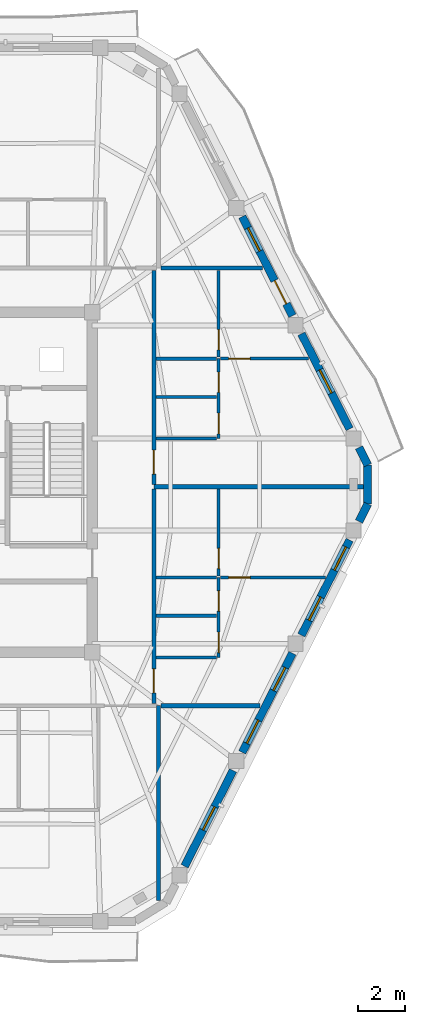
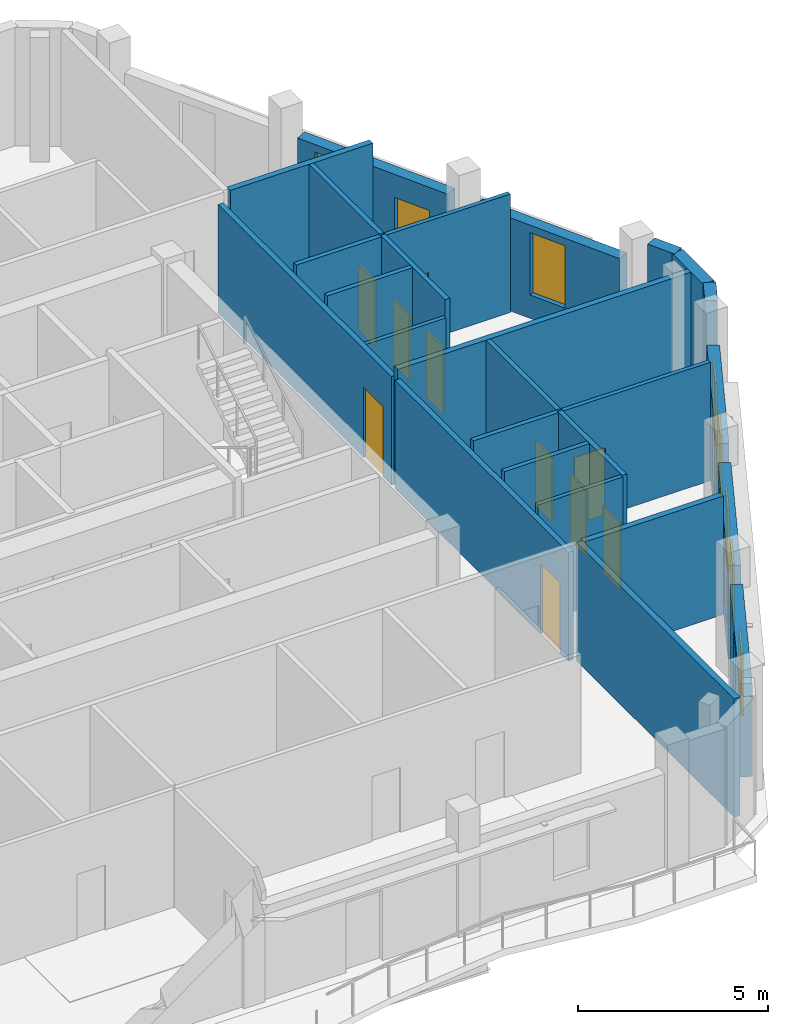
# One storey, part 6 of 10: 26 walls, 11 doors, 7 windows, 18 openings.
"""IFC4 building model written with IfcOpenShell, lengths in metres."""

from ifc_helpers import new_model, si_unit, direction, frame, frame_2d, origin, place, context, subcontext, project, spatial, rectangle, extrude, material, layer, layer_set, type_object, element, fill, save


model = new_model("IFC4")

# Units and contexts
model_context = context("Model", 3, precision=1e-05, world=origin(), true_north=direction((0.0, 1.0)))
body_context = subcontext(model_context, "Body", "Model", "MODEL_VIEW")
ifc_project = project(units=[si_unit("LENGTHUNIT", "METRE"), si_unit("AREAUNIT", "SQUARE_METRE"), si_unit("VOLUMEUNIT", "CUBIC_METRE"), si_unit("PLANEANGLEUNIT", "RADIAN"), si_unit("MASSUNIT", "GRAM", prefix="KILO")], contexts=[model_context])

# Site, building, storey
site_placement = place(None, origin())
site = spatial("IfcSite", under=ifc_project, at=site_placement, CompositionType="ELEMENT")
building_placement = place(site_placement, origin())
building = spatial("IfcBuilding", under=site, at=building_placement, Name="Cinnabar Lancet Tower", CompositionType="ELEMENT")
storey_placement = place(building_placement, frame((0.0, 0.0, 287.5)))
storey = spatial("IfcBuildingStorey", under=building, at=storey_placement, Name="L76", CompositionType="ELEMENT", Elevation=287.5)

# Wall, opening, door
ifc_material_1 = material(Name="Acoustic twin-stud gypsum partition", Category="gypsum")
ifc_layer_1 = layer(ifc_material_1, 0.159912109375)
ifc_layer_set_1 = layer_set([ifc_layer_1], Name="Acoustic twin-stud gypsum partition")
wall_type_1 = type_object("IfcWallType", Name="ARC-WL-CORR-160", PredefinedType="PARTITIONING", material=ifc_layer_set_1)
wall_1_placement = place(storey_placement, frame((44.25, 16.4951171875, 0.0), z_axis=(0.0, 0.0, 1.0), x_axis=(0.0, 1.0, 0.0)))
wall_1 = element("IfcWall", 1, at=wall_1_placement, inside=storey, type_object=wall_type_1, Name="UW-L76-E01-COR", PredefinedType="PARTITIONING", context=body_context, shape_type="SweptSolid", body=[
    extrude(rectangle(XDim=9.10986328125, YDim=0.159912109375, at=frame_2d((4.554931640625, 0.0))), origin(), (0.0, 0.0, 1.0), 3.487060546875),
])
opening_1_placement = place(wall_1_placement, frame((0.449951171875, 0.0, 0.0)))
opening_1 = element("IfcOpeningElement", 2, at=opening_1_placement, cuts=wall_1, Name="Opening UD-01", PredefinedType="OPENING", context=body_context, shape_type="SweptSolid", body=[
    extrude(rectangle(XDim=1.02001953125, YDim=2.25, at=frame_2d((0.510009765625, 1.125))), frame((0.0, 0.08984375, 0.0), z_axis=(0.0, -1.0, 0.0), x_axis=(1.0, 0.0, 0.0)), (0.0, 0.0, 1.0), 0.179931640625),
])
ifc_material_2 = material(Name="Solid timber fire-rated apartment entrance door", Category="wood")
door_type_1 = type_object("IfcDoorType", Name="ARC-DR-UNIT", OperationType="NOTDEFINED", PredefinedType="DOOR", material=ifc_material_2)
door_1_placement = place(opening_1_placement, origin())
door_1 = element("IfcDoor", 3, at=door_1_placement, inside=storey, type_object=door_type_1, Name="DR-L76-E01-ENT", OperationType="SINGLE_SWING_LEFT", OverallHeight=2.25, OverallWidth=1.02001953125, PredefinedType="DOOR", context=body_context, shape_type="SweptSolid", body=[
    extrude(rectangle(XDim=1.02001953125, YDim=2.25, at=frame_2d((0.510009765625, 1.125))), frame((0.0, 0.02490234375, 0.0), z_axis=(0.0, -1.0, 0.0), x_axis=(1.0, 0.0, 0.0)), (0.0, 0.0, 1.0), 0.050048828125),
])
fill(opening_1, door_1)

wall_2_placement = place(storey_placement, frame((44.25, 25.794921875, 0.0), z_axis=(0.0, 0.0, 1.0), x_axis=(0.0, 1.0, 0.0)))
wall_2 = element("IfcWall", 4, at=wall_2_placement, inside=storey, type_object=wall_type_1, Name="UW-L76-E02-COR", PredefinedType="PARTITIONING", context=body_context, shape_type="SweptSolid", body=[
    extrude(rectangle(XDim=9.110107421875, YDim=0.159912109375, at=frame_2d((4.55517578125, 0.0))), origin(), (0.0, 0.0, 1.0), 3.487060546875),
])
opening_2_placement = place(wall_2_placement, frame((0.449951171875, 0.0, 0.0)))
opening_2 = element("IfcOpeningElement", 5, at=opening_2_placement, cuts=wall_2, Name="Opening UD-01", PredefinedType="OPENING", context=body_context, shape_type="SweptSolid", body=[
    extrude(rectangle(XDim=1.02001953125, YDim=2.25, at=frame_2d((0.510009765625, 1.125))), frame((0.0, 0.08984375, 0.0), z_axis=(0.0, -1.0, 0.0), x_axis=(1.0, 0.0, 0.0)), (0.0, 0.0, 1.0), 0.179931640625),
])
door_2_placement = place(opening_2_placement, origin())
door_2 = element("IfcDoor", 6, at=door_2_placement, inside=storey, type_object=door_type_1, Name="DR-L76-E02-ENT", OperationType="SINGLE_SWING_RIGHT", OverallHeight=2.25, OverallWidth=1.02001953125, PredefinedType="DOOR", context=body_context, shape_type="SweptSolid", body=[
    extrude(rectangle(XDim=1.02001953125, YDim=2.25, at=frame_2d((0.510009765625, 1.125))), frame((0.0, 0.02490234375, 0.0), z_axis=(0.0, -1.0, 0.0), x_axis=(1.0, 0.0, 0.0)), (0.0, 0.0, 1.0), 0.050048828125),
])
fill(opening_2, door_2)

# Walls
ifc_material_3 = material(Name="Fire-rated twin-frame acoustic drywall", Category="gypsum")
ifc_layer_2 = layer(ifc_material_3, 0.179931640625)
ifc_layer_set_2 = layer_set([ifc_layer_2], Name="Fire-rated twin-frame acoustic drywall")
wall_type_2 = type_object("IfcWallType", Name="ARC-WL-PARTY-180", PredefinedType="PARTITIONING", material=ifc_layer_set_2)
wall_3_placement = place(storey_placement, frame((44.449951171875, 8.118896484375, 0.0), z_axis=(0.0, 0.0, 1.0), x_axis=(0.0, 1.0, 0.0)))
element("IfcWall", 7, at=wall_3_placement, inside=storey, type_object=wall_type_2, Name="PW-L76-SPTY-444", PredefinedType="PARTITIONING", context=body_context, shape_type="SweptSolid", body=[
    extrude(rectangle(XDim=8.281005859375, YDim=0.179931640625, at=frame_2d((4.140625, 0.0))), origin(), (0.0, 0.0, 1.0), 3.800048828125),
])
wall_4_placement = place(storey_placement, frame((44.544921875, 16.39990234375, 0.0), z_axis=(0.0, 0.0, 1.0), x_axis=(1.0, 0.0, 0.0)))
element("IfcWall", 8, at=wall_4_placement, inside=storey, type_object=wall_type_2, Name="PW-L76-ESB", PredefinedType="PARTITIONING", context=body_context, shape_type="SweptSolid", body=[
    extrude(rectangle(XDim=4.22119140625, YDim=0.179931640625, at=frame_2d((2.110595703125, 0.0))), origin(), (0.0, 0.0, 1.0), 3.800048828125),
])
wall_5_placement = place(storey_placement, frame((44.544921875, 35.0, 0.0), z_axis=(0.0, 0.0, 1.0), x_axis=(1.0, 0.0, 0.0)))
element("IfcWall", 9, at=wall_5_placement, inside=storey, type_object=wall_type_2, Name="PW-L76-ENB", PredefinedType="PARTITIONING", context=body_context, shape_type="SweptSolid", body=[
    extrude(rectangle(XDim=4.322021484375, YDim=0.179931640625, at=frame_2d((2.1611328125, 0.0))), origin(), (0.0, 0.0, 1.0), 3.800048828125),
])
wall_6_placement = place(storey_placement, frame((44.25, 25.699951171875, 0.0), z_axis=(0.0, 0.0, 1.0), x_axis=(1.0, 0.0, 0.0)))
element("IfcWall", 10, at=wall_6_placement, inside=storey, type_object=wall_type_2, Name="PW-L76-EPTY-1", PredefinedType="PARTITIONING", context=body_context, shape_type="SweptSolid", body=[
    extrude(rectangle(XDim=8.89794921875, YDim=0.179931640625, at=frame_2d((4.448974609375, 0.0))), origin(), (0.0, 0.0, 1.0), 3.800048828125),
])
ifc_material_4 = material(Name="Gypsum plasterboard stud partition", Category="gypsum")
ifc_layer_3 = layer(ifc_material_4, 0.125)
ifc_layer_set_3 = layer_set([ifc_layer_3], Name="Gypsum plasterboard stud partition")
wall_type_3 = type_object("IfcWallType", Name="ARC-WL-UNIT-125", PredefinedType="PARTITIONING", material=ifc_layer_set_3)
wall_7_placement = place(storey_placement, frame((44.3349609375, 18.449951171875, 0.0), z_axis=(0.0, 0.0, 1.0), x_axis=(1.0, 0.0, 0.0)))
element("IfcWall", 11, at=wall_7_placement, inside=storey, type_object=wall_type_3, Name="UW-L76-E01-FOYN", PredefinedType="PARTITIONING", context=body_context, shape_type="SweptSolid", body=[
    extrude(rectangle(XDim=2.580078125, YDim=0.125, at=frame_2d((1.2900390625, 0.0))), origin(), (0.0, 0.0, 1.0), 3.800048828125),
])

# Wall, opening, door
wall_8_placement = place(storey_placement, frame((47.074951171875, 21.85009765625, 0.0), z_axis=(0.0, 0.0, 1.0), x_axis=(1.0, 0.0, 0.0)))
wall_8 = element("IfcWall", 12, at=wall_8_placement, inside=storey, type_object=wall_type_3, Name="UW-L76-E01-MBN", PredefinedType="PARTITIONING", context=body_context, shape_type="SweptSolid", body=[
    extrude(rectangle(XDim=4.463134765625, YDim=0.125, at=frame_2d((2.2314453125, 0.0))), origin(), (0.0, 0.0, 1.0), 3.800048828125),
])
opening_3_placement = place(wall_8_placement, frame((0.35009765625, 0.0, 0.0)))
opening_3 = element("IfcOpeningElement", 13, at=opening_3_placement, cuts=wall_8, Name="Opening RD-01", PredefinedType="OPENING", context=body_context, shape_type="SweptSolid", body=[
    extrude(rectangle(XDim=0.919921875, YDim=2.14990234375, at=frame_2d((0.4599609375, 1.074951171875))), frame((0.0, 0.072509765625, 0.0), z_axis=(0.0, -1.0, 0.0), x_axis=(1.0, 0.0, 0.0)), (0.0, 0.0, 1.0), 0.14501953125),
])
ifc_material_5 = material(Name="Engineered timber bedroom door", Category="wood")
door_type_2 = type_object("IfcDoorType", Name="ARC-DR-ROOM", OperationType="NOTDEFINED", PredefinedType="DOOR", material=ifc_material_5)
door_3_placement = place(opening_3_placement, origin())
door_3 = element("IfcDoor", 14, at=door_3_placement, inside=storey, type_object=door_type_2, Name="DR-L76-E01-MBD", OperationType="SINGLE_SWING_LEFT", OverallHeight=2.14990234375, OverallWidth=0.919921875, PredefinedType="DOOR", context=body_context, shape_type="SweptSolid", body=[
    extrude(rectangle(XDim=0.919921875, YDim=2.14990234375, at=frame_2d((0.4599609375, 1.074951171875))), frame((0.0, 0.02490234375, 0.0), z_axis=(0.0, -1.0, 0.0), x_axis=(1.0, 0.0, 0.0)), (0.0, 0.0, 1.0), 0.050048828125),
])
fill(opening_3, door_3)

# Wall
wall_9_placement = place(storey_placement, frame((44.3349609375, 27.75, 0.0), z_axis=(0.0, 0.0, 1.0), x_axis=(1.0, 0.0, 0.0)))
element("IfcWall", 15, at=wall_9_placement, inside=storey, type_object=wall_type_3, Name="UW-L76-E02-FOYN", PredefinedType="PARTITIONING", context=body_context, shape_type="SweptSolid", body=[
    extrude(rectangle(XDim=2.580078125, YDim=0.125, at=frame_2d((1.2900390625, 0.0))), origin(), (0.0, 0.0, 1.0), 3.257080078125),
])

# Wall, opening, door
wall_10_placement = place(storey_placement, frame((47.074951171875, 31.14990234375, 0.0), z_axis=(0.0, 0.0, 1.0), x_axis=(1.0, 0.0, 0.0)))
wall_10 = element("IfcWall", 16, at=wall_10_placement, inside=storey, type_object=wall_type_3, Name="UW-L76-E02-MBN", PredefinedType="PARTITIONING", context=body_context, shape_type="SweptSolid", body=[
    extrude(rectangle(XDim=3.755126953125, YDim=0.125, at=frame_2d((1.87744140625, 0.0))), origin(), (0.0, 0.0, 1.0), 3.800048828125),
])
opening_4_placement = place(wall_10_placement, frame((0.35009765625, 0.0, 0.0)))
opening_4 = element("IfcOpeningElement", 17, at=opening_4_placement, cuts=wall_10, Name="Opening RD-01", PredefinedType="OPENING", context=body_context, shape_type="SweptSolid", body=[
    extrude(rectangle(XDim=0.919921875, YDim=2.14990234375, at=frame_2d((0.4599609375, 1.074951171875))), frame((0.0, 0.072509765625, 0.0), z_axis=(0.0, -1.0, 0.0), x_axis=(1.0, 0.0, 0.0)), (0.0, 0.0, 1.0), 0.14501953125),
])
door_4_placement = place(opening_4_placement, origin())
door_4 = element("IfcDoor", 18, at=door_4_placement, inside=storey, type_object=door_type_2, Name="DR-L76-E02-MBD", OperationType="SINGLE_SWING_RIGHT", OverallHeight=2.14990234375, OverallWidth=0.919921875, PredefinedType="DOOR", context=body_context, shape_type="SweptSolid", body=[
    extrude(rectangle(XDim=0.919921875, YDim=2.14990234375, at=frame_2d((0.4599609375, 1.074951171875))), frame((0.0, 0.02490234375, 0.0), z_axis=(0.0, -1.0, 0.0), x_axis=(1.0, 0.0, 0.0)), (0.0, 0.0, 1.0), 0.050048828125),
])
fill(opening_4, door_4)

# Wall, openings, doors
ifc_material_6 = material(Name="Moisture-resistant cement-board plumbing wall", Category="masonry")
ifc_layer_4 = layer(ifc_material_6, 0.139892578125)
ifc_layer_set_4 = layer_set([ifc_layer_4], Name="Moisture-resistant cement-board plumbing wall")
wall_type_4 = type_object("IfcWallType", Name="ARC-WL-WET-140", PredefinedType="PLUMBINGWALL", material=ifc_layer_set_4)
wall_11_placement = place(storey_placement, frame((47.0, 18.449951171875, 0.0), z_axis=(0.0, 0.0, 1.0), x_axis=(0.0, 1.0, 0.0)))
wall_11 = element("IfcWall", 19, at=wall_11_placement, inside=storey, type_object=wall_type_4, Name="UW-L76-E01-SPL", PredefinedType="PLUMBINGWALL", context=body_context, shape_type="SweptSolid", body=[
    extrude(rectangle(XDim=3.400146484375, YDim=0.139892578125, at=frame_2d((1.7001953125, 0.0))), origin(), (0.0, 0.0, 1.0), 3.800048828125),
])
opening_5_placement = place(wall_11_placement, frame((0.199951171875, 0.0, 0.0)))
opening_5 = element("IfcOpeningElement", 20, at=opening_5_placement, cuts=wall_11, Name="Opening RD-02", PredefinedType="OPENING", context=body_context, shape_type="SweptSolid", body=[
    extrude(rectangle(XDim=0.8798828125, YDim=2.14990234375, at=frame_2d((0.43994140625, 1.074951171875))), frame((0.0, 0.079833984375, 0.0), z_axis=(0.0, -1.0, 0.0), x_axis=(1.0, 0.0, 0.0)), (0.0, 0.0, 1.0), 0.159912109375),
])
opening_6_placement = place(wall_11_placement, frame((1.968017578125, 0.0, 0.0)))
opening_6 = element("IfcOpeningElement", 21, at=opening_6_placement, cuts=wall_11, Name="Opening BD-01", PredefinedType="OPENING", context=body_context, shape_type="SweptSolid", body=[
    extrude(rectangle(XDim=0.860107421875, YDim=2.10009765625, at=frame_2d((0.43017578125, 1.050048828125))), frame((0.0, 0.079833984375, 0.0), z_axis=(0.0, -1.0, 0.0), x_axis=(1.0, 0.0, 0.0)), (0.0, 0.0, 1.0), 0.159912109375),
])
ifc_material_7 = material(Name="Moisture-resistant timber bathroom door", Category="wood")
door_type_3 = type_object("IfcDoorType", Name="ARC-DR-BATH", OperationType="NOTDEFINED", PredefinedType="DOOR", material=ifc_material_7)
door_5_placement = place(opening_6_placement, origin())
door_5 = element("IfcDoor", 22, at=door_5_placement, inside=storey, type_object=door_type_3, Name="DR-L76-E01-BTH", OperationType="SINGLE_SWING_LEFT", OverallHeight=2.10009765625, OverallWidth=0.860107421875, PredefinedType="DOOR", context=body_context, shape_type="SweptSolid", body=[
    extrude(rectangle(XDim=0.860107421875, YDim=2.10009765625, at=frame_2d((0.43017578125, 1.050048828125))), frame((0.0, 0.02490234375, 0.0), z_axis=(0.0, -1.0, 0.0), x_axis=(1.0, 0.0, 0.0)), (0.0, 0.0, 1.0), 0.050048828125),
])
fill(opening_6, door_5)
ifc_material_8 = material(Name="Engineered timber study door", Category="wood")
door_type_4 = type_object("IfcDoorType", Name="ARC-DR-STUDY", OperationType="NOTDEFINED", PredefinedType="DOOR", material=ifc_material_8)
door_6_placement = place(opening_5_placement, origin())
door_6 = element("IfcDoor", 23, at=door_6_placement, inside=storey, type_object=door_type_4, Name="DR-L76-E01-KIT", OperationType="SINGLE_SWING_RIGHT", OverallHeight=2.14990234375, OverallWidth=0.8798828125, PredefinedType="DOOR", context=body_context, shape_type="SweptSolid", body=[
    extrude(rectangle(XDim=0.8798828125, YDim=2.14990234375, at=frame_2d((0.43994140625, 1.074951171875))), frame((0.0, 0.02490234375, 0.0), z_axis=(0.0, -1.0, 0.0), x_axis=(1.0, 0.0, 0.0)), (0.0, 0.0, 1.0), 0.050048828125),
])
fill(opening_5, door_6)

# Wall, opening, door
wall_12_placement = place(storey_placement, frame((47.0, 21.919921875, 0.0), z_axis=(0.0, 0.0, 1.0), x_axis=(0.0, 1.0, 0.0)))
wall_12 = element("IfcWall", 24, at=wall_12_placement, inside=storey, type_object=wall_type_4, Name="UW-L76-E01-SPM", PredefinedType="PLUMBINGWALL", context=body_context, shape_type="SweptSolid", body=[
    extrude(rectangle(XDim=3.68505859375, YDim=0.139892578125, at=frame_2d((1.842529296875, 0.0))), origin(), (0.0, 0.0, 1.0), 3.800048828125),
])
opening_7_placement = place(wall_12_placement, frame((0.300048828125, 0.0, 0.0)))
opening_7 = element("IfcOpeningElement", 25, at=opening_7_placement, cuts=wall_12, Name="Opening BD-01", PredefinedType="OPENING", context=body_context, shape_type="SweptSolid", body=[
    extrude(rectangle(XDim=0.860107421875, YDim=2.10009765625, at=frame_2d((0.43017578125, 1.050048828125))), frame((0.0, 0.079833984375, 0.0), z_axis=(0.0, -1.0, 0.0), x_axis=(1.0, 0.0, 0.0)), (0.0, 0.0, 1.0), 0.159912109375),
])
door_7_placement = place(opening_7_placement, origin())
door_7 = element("IfcDoor", 26, at=door_7_placement, inside=storey, type_object=door_type_3, Name="DR-L76-E01-ENS", OperationType="SINGLE_SWING_LEFT", OverallHeight=2.10009765625, OverallWidth=0.860107421875, PredefinedType="DOOR", context=body_context, shape_type="SweptSolid", body=[
    extrude(rectangle(XDim=0.860107421875, YDim=2.10009765625, at=frame_2d((0.43017578125, 1.050048828125))), frame((0.0, 0.02490234375, 0.0), z_axis=(0.0, -1.0, 0.0), x_axis=(1.0, 0.0, 0.0)), (0.0, 0.0, 1.0), 0.050048828125),
])
fill(opening_7, door_7)

# Walls
for number, where, z_axis, x_axis, name in (
    (27, (44.3349609375, 21.85009765625, 0.0), (0.0, 0.0, 1.0), (1.0, 0.0, 0.0), "UW-L76-E01-ENSN"),
    (28, (44.3349609375, 20.218017578125, 0.0), (0.0, 0.0, 1.0), (1.0, 0.0, 0.0), "UW-L76-E01-KDV"),
):
    element("IfcWall", number, at=place(storey_placement, frame(where, z_axis=z_axis, x_axis=x_axis)), inside=storey, type_object=wall_type_4, Name=name, PredefinedType="PLUMBINGWALL", context=body_context, shape_type="SweptSolid", body=[
        extrude(rectangle(XDim=2.580078125, YDim=0.139892578125, at=frame_2d((1.2900390625, 0.0))), origin(), (0.0, 0.0, 1.0), 3.800048828125),
    ])

# Wall, openings, doors
wall_13_placement = place(storey_placement, frame((47.0, 27.75, 0.0), z_axis=(0.0, 0.0, 1.0), x_axis=(0.0, 1.0, 0.0)))
wall_13 = element("IfcWall", 29, at=wall_13_placement, inside=storey, type_object=wall_type_4, Name="UW-L76-E02-SPL", PredefinedType="PLUMBINGWALL", context=body_context, shape_type="SweptSolid", body=[
    extrude(rectangle(XDim=3.39990234375, YDim=0.139892578125, at=frame_2d((1.699951171875, 0.0))), origin(), (0.0, 0.0, 1.0), 3.800048828125),
])
opening_8_placement = place(wall_13_placement, frame((0.199951171875, 0.0, 0.0)))
opening_8 = element("IfcOpeningElement", 30, at=opening_8_placement, cuts=wall_13, Name="Opening RD-02", PredefinedType="OPENING", context=body_context, shape_type="SweptSolid", body=[
    extrude(rectangle(XDim=0.8798828125, YDim=2.14990234375, at=frame_2d((0.43994140625, 1.074951171875))), frame((0.0, 0.079833984375, 0.0), z_axis=(0.0, -1.0, 0.0), x_axis=(1.0, 0.0, 0.0)), (0.0, 0.0, 1.0), 0.159912109375),
])
opening_9_placement = place(wall_13_placement, frame((1.968017578125, 0.0, 0.0)))
opening_9 = element("IfcOpeningElement", 31, at=opening_9_placement, cuts=wall_13, Name="Opening BD-01", PredefinedType="OPENING", context=body_context, shape_type="SweptSolid", body=[
    extrude(rectangle(XDim=0.860107421875, YDim=2.10009765625, at=frame_2d((0.43017578125, 1.050048828125))), frame((0.0, 0.079833984375, 0.0), z_axis=(0.0, -1.0, 0.0), x_axis=(1.0, 0.0, 0.0)), (0.0, 0.0, 1.0), 0.159912109375),
])
door_8_placement = place(opening_9_placement, origin())
door_8 = element("IfcDoor", 32, at=door_8_placement, inside=storey, type_object=door_type_3, Name="DR-L76-E02-BTH", OperationType="SINGLE_SWING_RIGHT", OverallHeight=2.10009765625, OverallWidth=0.860107421875, PredefinedType="DOOR", context=body_context, shape_type="SweptSolid", body=[
    extrude(rectangle(XDim=0.860107421875, YDim=2.10009765625, at=frame_2d((0.43017578125, 1.050048828125))), frame((0.0, 0.02490234375, 0.0), z_axis=(0.0, -1.0, 0.0), x_axis=(1.0, 0.0, 0.0)), (0.0, 0.0, 1.0), 0.050048828125),
])
fill(opening_9, door_8)
door_9_placement = place(opening_8_placement, origin())
door_9 = element("IfcDoor", 33, at=door_9_placement, inside=storey, type_object=door_type_4, Name="DR-L76-E02-KIT", OperationType="SINGLE_SWING_LEFT", OverallHeight=2.14990234375, OverallWidth=0.8798828125, PredefinedType="DOOR", context=body_context, shape_type="SweptSolid", body=[
    extrude(rectangle(XDim=0.8798828125, YDim=2.14990234375, at=frame_2d((0.43994140625, 1.074951171875))), frame((0.0, 0.02490234375, 0.0), z_axis=(0.0, -1.0, 0.0), x_axis=(1.0, 0.0, 0.0)), (0.0, 0.0, 1.0), 0.050048828125),
])
fill(opening_8, door_9)

# Wall, opening, door
wall_14_placement = place(storey_placement, frame((47.0, 31.219970703125, 0.0), z_axis=(0.0, 0.0, 1.0), x_axis=(0.0, 1.0, 0.0)))
wall_14 = element("IfcWall", 34, at=wall_14_placement, inside=storey, type_object=wall_type_4, Name="UW-L76-E02-SPM", PredefinedType="PLUMBINGWALL", context=body_context, shape_type="SweptSolid", body=[
    extrude(rectangle(XDim=3.68505859375, YDim=0.139892578125, at=frame_2d((1.842529296875, 0.0))), origin(), (0.0, 0.0, 1.0), 3.800048828125),
])
opening_10_placement = place(wall_14_placement, frame((0.300048828125, 0.0, 0.0)))
opening_10 = element("IfcOpeningElement", 35, at=opening_10_placement, cuts=wall_14, Name="Opening BD-01", PredefinedType="OPENING", context=body_context, shape_type="SweptSolid", body=[
    extrude(rectangle(XDim=0.860107421875, YDim=2.10009765625, at=frame_2d((0.43017578125, 1.050048828125))), frame((0.0, 0.079833984375, 0.0), z_axis=(0.0, -1.0, 0.0), x_axis=(1.0, 0.0, 0.0)), (0.0, 0.0, 1.0), 0.159912109375),
])
door_10_placement = place(opening_10_placement, origin())
door_10 = element("IfcDoor", 36, at=door_10_placement, inside=storey, type_object=door_type_3, Name="DR-L76-E02-ENS", OperationType="SINGLE_SWING_RIGHT", OverallHeight=2.10009765625, OverallWidth=0.860107421875, PredefinedType="DOOR", context=body_context, shape_type="SweptSolid", body=[
    extrude(rectangle(XDim=0.860107421875, YDim=2.10009765625, at=frame_2d((0.43017578125, 1.050048828125))), frame((0.0, 0.02490234375, 0.0), z_axis=(0.0, -1.0, 0.0), x_axis=(1.0, 0.0, 0.0)), (0.0, 0.0, 1.0), 0.050048828125),
])
fill(opening_10, door_10)

# Walls
for number, where, z_axis, x_axis, name in (
    (37, (44.3349609375, 31.14990234375, 0.0), (0.0, 0.0, 1.0), (1.0, 0.0, 0.0), "UW-L76-E02-ENSN"),
    (38, (44.3349609375, 29.51806640625, 0.0), (0.0, 0.0, 1.0), (1.0, 0.0, 0.0), "UW-L76-E02-KDV"),
):
    element("IfcWall", number, at=place(storey_placement, frame(where, z_axis=z_axis, x_axis=x_axis)), inside=storey, type_object=wall_type_4, Name=name, PredefinedType="PLUMBINGWALL", context=body_context, shape_type="SweptSolid", body=[
        extrude(rectangle(XDim=2.580078125, YDim=0.139892578125, at=frame_2d((1.2900390625, 0.0))), origin(), (0.0, 0.0, 1.0), 3.800048828125),
    ])
ifc_material_9 = material(Name="Cinnabar red clay brick", Category="masonry")
ifc_layer_5 = layer(ifc_material_9, 0.340087890625)
ifc_layer_set_5 = layer_set([ifc_layer_5], Name="Cinnabar red clay brick")
wall_type_5 = type_object("IfcWallType", Name="ENV-WL-BRK-RED-340", PredefinedType="STANDARD", material=ifc_layer_set_5)
wall_15_placement = place(storey_placement, frame((53.322998046875, 24.97998046875, 0.0), z_axis=(0.0, 0.0, 1.0), x_axis=(0.0, 1.0, 0.0)))
element("IfcWall", 39, at=wall_15_placement, inside=storey, type_object=wall_type_5, Name="L76 Chamfered Corner Brick Pier 3.1", PredefinedType="STANDARD", context=body_context, shape_type="SweptSolid", body=[
    extrude(rectangle(XDim=1.64013671875, YDim=0.340087890625, at=frame_2d((0.820068359375, 0.0))), origin(), (0.0, 0.0, 1.0), 3.800048828125),
])

# Wall, opening, window
wall_16_placement = place(storey_placement, frame((45.555908203125, 9.576904296875, 0.0), z_axis=(0.0, 0.0, 1.0), x_axis=(0.45154039276, 0.892250678737, 0.0)))
wall_16 = element("IfcWall", 40, at=wall_16_placement, inside=storey, type_object=wall_type_5, Name="L76 Face 2 Masonry Bay Wall 2", PredefinedType="STANDARD", context=body_context, shape_type="SweptSolid", body=[
    extrude(rectangle(XDim=4.5537109375, YDim=0.340087890625, at=frame_2d((2.27685546875, 0.0))), origin(), (0.0, 0.0, 1.0), 2.989990234375),
])
opening_11_placement = place(wall_16_placement, frame((1.72705078125, 0.0, 0.75)))
opening_11 = element("IfcOpeningElement", 41, at=opening_11_placement, cuts=wall_16, Name="Opening WN-04", PredefinedType="OPENING", context=body_context, shape_type="SweptSolid", body=[
    extrude(rectangle(XDim=1.10009765625, YDim=2.0, at=frame_2d((0.550048828125, 1.0))), frame((0.0, 0.179931640625, 0.0), z_axis=(0.0, -1.0, 0.0), x_axis=(1.0, 0.0, 0.0)), (0.0, 0.0, 1.0), 0.360107421875),
])
ifc_material_10 = material(Name="Thermally broken bronze-anodized aluminium tall lancet window", Category="aluminium")
window_type = type_object("IfcWindowType", Name="ENV-WN-LANCET-1100", PartitioningType="SINGLE_PANEL", PredefinedType="WINDOW", material=ifc_material_10)
window_1_placement = place(opening_11_placement, origin())
window_1 = element("IfcWindow", 42, at=window_1_placement, inside=storey, type_object=window_type, Name="L76 Face 2 Gothic Lancet Window 2", OverallHeight=2.0, OverallWidth=1.10009765625, PartitioningType="SINGLE_PANEL", PredefinedType="WINDOW", context=body_context, shape_type="SweptSolid", body=[
    extrude(rectangle(XDim=1.10009765625, YDim=2.0, at=frame_2d((0.550048828125, 1.0))), frame((0.0, 0.030029296875, 0.0), z_axis=(0.0, -1.0, 0.0), x_axis=(1.0, 0.0, 0.0)), (0.0, 0.0, 1.0), 0.06005859375),
])
fill(opening_11, window_1)

# Wall, openings, windows
wall_17_placement = place(storey_placement, frame((48.001953125, 14.4130859375, 0.0), z_axis=(0.0, 0.0, 1.0), x_axis=(0.451468341582, 0.892287137949, 0.0)))
wall_17 = element("IfcWall", 43, at=wall_17_placement, inside=storey, type_object=wall_type_5, Name="L76 Face 2 Masonry Bay Wall 3", PredefinedType="STANDARD", context=body_context, shape_type="SweptSolid", body=[
    extrude(rectangle(XDim=4.72265625, YDim=0.340087890625, at=frame_2d((2.361328125, 0.0))), origin(), (0.0, 0.0, 1.0), 2.989990234375),
])
opening_12_placement = place(wall_17_placement, frame((0.43408203125, 0.0, 0.75)))
opening_12 = element("IfcOpeningElement", 44, at=opening_12_placement, cuts=wall_17, Name="Opening WN-04", PredefinedType="OPENING", context=body_context, shape_type="SweptSolid", body=[
    extrude(rectangle(XDim=1.10009765625, YDim=2.0, at=frame_2d((0.550048828125, 1.0))), frame((0.0, 0.179931640625, 0.0), z_axis=(0.0, -1.0, 0.0), x_axis=(1.0, 0.0, 0.0)), (0.0, 0.0, 1.0), 0.360107421875),
])
opening_13_placement = place(wall_17_placement, frame((2.946044921875, 0.0, 0.75)))
opening_13 = element("IfcOpeningElement", 45, at=opening_13_placement, cuts=wall_17, Name="Opening WN-04", PredefinedType="OPENING", context=body_context, shape_type="SweptSolid", body=[
    extrude(rectangle(XDim=1.10009765625, YDim=2.0, at=frame_2d((0.550048828125, 1.0))), frame((0.0, 0.179931640625, 0.0), z_axis=(0.0, -1.0, 0.0), x_axis=(1.0, 0.0, 0.0)), (0.0, 0.0, 1.0), 0.360107421875),
])
window_2_placement = place(opening_12_placement, origin())
window_2 = element("IfcWindow", 46, at=window_2_placement, inside=storey, type_object=window_type, Name="L76 Face 2 Gothic Lancet Window 3", OverallHeight=2.0, OverallWidth=1.10009765625, PartitioningType="SINGLE_PANEL", PredefinedType="WINDOW", context=body_context, shape_type="SweptSolid", body=[
    extrude(rectangle(XDim=1.10009765625, YDim=2.0, at=frame_2d((0.550048828125, 1.0))), frame((0.0, 0.030029296875, 0.0), z_axis=(0.0, -1.0, 0.0), x_axis=(1.0, 0.0, 0.0)), (0.0, 0.0, 1.0), 0.06005859375),
])
fill(opening_12, window_2)
window_3_placement = place(opening_13_placement, origin())
window_3 = element("IfcWindow", 47, at=window_3_placement, inside=storey, type_object=window_type, Name="L76 Split-Bay Gothic Lancet Window 283", OverallHeight=2.0, OverallWidth=1.10009765625, PartitioningType="SINGLE_PANEL", PredefinedType="WINDOW", context=body_context, shape_type="SweptSolid", body=[
    extrude(rectangle(XDim=1.10009765625, YDim=2.0, at=frame_2d((0.550048828125, 1.0))), frame((0.0, 0.030029296875, 0.0), z_axis=(0.0, -1.0, 0.0), x_axis=(1.0, 0.0, 0.0)), (0.0, 0.0, 1.0), 0.06005859375),
])
fill(opening_13, window_3)

wall_18_placement = place(storey_placement, frame((50.52294921875, 19.39697265625, 0.0), z_axis=(0.0, 0.0, 1.0), x_axis=(0.45147697324, 0.892282770558, 0.0)))
wall_18 = element("IfcWall", 48, at=wall_18_placement, inside=storey, type_object=wall_type_5, Name="L76 Face 2 Masonry Bay Wall 4", PredefinedType="STANDARD", context=body_context, shape_type="SweptSolid", body=[
    extrude(rectangle(XDim=4.530029296875, YDim=0.340087890625, at=frame_2d((2.26513671875, 0.0))), origin(), (0.0, 0.0, 1.0), 2.989990234375),
])
opening_14_placement = place(wall_18_placement, frame((0.712890625, 0.0, 0.75)))
opening_14 = element("IfcOpeningElement", 49, at=opening_14_placement, cuts=wall_18, Name="Opening WN-04", PredefinedType="OPENING", context=body_context, shape_type="SweptSolid", body=[
    extrude(rectangle(XDim=1.10009765625, YDim=2.0, at=frame_2d((0.550048828125, 1.0))), frame((0.0, 0.179931640625, 0.0), z_axis=(0.0, -1.0, 0.0), x_axis=(1.0, 0.0, 0.0)), (0.0, 0.0, 1.0), 0.360107421875),
])
opening_15_placement = place(wall_18_placement, frame((3.097900390625, 0.0, 0.75)))
opening_15 = element("IfcOpeningElement", 50, at=opening_15_placement, cuts=wall_18, Name="Opening WN-04", PredefinedType="OPENING", context=body_context, shape_type="SweptSolid", body=[
    extrude(rectangle(XDim=1.10009765625, YDim=2.0, at=frame_2d((0.550048828125, 1.0))), frame((0.0, 0.179931640625, 0.0), z_axis=(0.0, -1.0, 0.0), x_axis=(1.0, 0.0, 0.0)), (0.0, 0.0, 1.0), 0.360107421875),
])
window_4_placement = place(opening_14_placement, origin())
window_4 = element("IfcWindow", 51, at=window_4_placement, inside=storey, type_object=window_type, Name="L76 Face 2 Gothic Lancet Window 4", OverallHeight=2.0, OverallWidth=1.10009765625, PartitioningType="SINGLE_PANEL", PredefinedType="WINDOW", context=body_context, shape_type="SweptSolid", body=[
    extrude(rectangle(XDim=1.10009765625, YDim=2.0, at=frame_2d((0.550048828125, 1.0))), frame((0.0, 0.030029296875, 0.0), z_axis=(0.0, -1.0, 0.0), x_axis=(1.0, 0.0, 0.0)), (0.0, 0.0, 1.0), 0.06005859375),
])
fill(opening_14, window_4)
window_5_placement = place(opening_15_placement, origin())
window_5 = element("IfcWindow", 52, at=window_5_placement, inside=storey, type_object=window_type, Name="L76 Split-Bay Gothic Lancet Window 284", OverallHeight=2.0, OverallWidth=1.10009765625, PartitioningType="SINGLE_PANEL", PredefinedType="WINDOW", context=body_context, shape_type="SweptSolid", body=[
    extrude(rectangle(XDim=1.10009765625, YDim=2.0, at=frame_2d((0.550048828125, 1.0))), frame((0.0, 0.030029296875, 0.0), z_axis=(0.0, -1.0, 0.0), x_axis=(1.0, 0.0, 0.0)), (0.0, 0.0, 1.0), 0.06005859375),
])
fill(opening_15, window_5)

# Walls
wall_19_placement = place(storey_placement, frame((52.965087890625, 24.22412109375, 0.0), z_axis=(0.0, 0.0, 1.0), x_axis=(0.4515140893, 0.892263989615, 0.0)))
element("IfcWall", 53, at=wall_19_placement, inside=storey, type_object=wall_type_5, Name="L76 Face 2 Masonry Bay Wall 5", PredefinedType="STANDARD", context=body_context, shape_type="SweptSolid", body=[
    extrude(rectangle(XDim=0.839111328125, YDim=0.340087890625, at=frame_2d((0.41943359375, 0.0))), origin(), (0.0, 0.0, 1.0), 3.800048828125),
])
wall_20_placement = place(storey_placement, frame((53.343994140625, 26.626953125, 0.0), z_axis=(0.0, 0.0, 1.0), x_axis=(-0.45139691133, 0.892323275748, 0.0)))
element("IfcWall", 54, at=wall_20_placement, inside=storey, type_object=wall_type_5, Name="L76 Face 3 Masonry Bay Wall 1", PredefinedType="STANDARD", context=body_context, shape_type="SweptSolid", body=[
    extrude(rectangle(XDim=0.83935546875, YDim=0.340087890625, at=frame_2d((0.419677734375, 0.0))), origin(), (0.0, 0.0, 1.0), 3.800048828125),
])

# Wall, opening, window
wall_21_placement = place(storey_placement, frame((52.568115234375, 28.160888671875, 0.0), z_axis=(0.0, 0.0, 1.0), x_axis=(-0.45147697324, 0.892282770558, 0.0)))
wall_21 = element("IfcWall", 55, at=wall_21_placement, inside=storey, type_object=wall_type_5, Name="L76 Face 3 Masonry Bay Wall 2", PredefinedType="STANDARD", context=body_context, shape_type="SweptSolid", body=[
    extrude(rectangle(XDim=4.530029296875, YDim=0.340087890625, at=frame_2d((2.26513671875, 0.0))), origin(), (0.0, 0.0, 1.0), 2.989990234375),
])
opening_16_placement = place(wall_21_placement, frame((1.715087890625, 0.0, 0.75)))
opening_16 = element("IfcOpeningElement", 56, at=opening_16_placement, cuts=wall_21, Name="Opening WN-04", PredefinedType="OPENING", context=body_context, shape_type="SweptSolid", body=[
    extrude(rectangle(XDim=1.10009765625, YDim=2.0, at=frame_2d((0.550048828125, 1.0))), frame((0.0, 0.179931640625, 0.0), z_axis=(0.0, -1.0, 0.0), x_axis=(1.0, 0.0, 0.0)), (0.0, 0.0, 1.0), 0.360107421875),
])
window_6_placement = place(opening_16_placement, origin())
window_6 = element("IfcWindow", 57, at=window_6_placement, inside=storey, type_object=window_type, Name="L76 Face 3 Gothic Lancet Window 2", OverallHeight=2.0, OverallWidth=1.10009765625, PartitioningType="SINGLE_PANEL", PredefinedType="WINDOW", context=body_context, shape_type="SweptSolid", body=[
    extrude(rectangle(XDim=1.10009765625, YDim=2.0, at=frame_2d((0.550048828125, 1.0))), frame((0.0, 0.030029296875, 0.0), z_axis=(0.0, -1.0, 0.0), x_axis=(1.0, 0.0, 0.0)), (0.0, 0.0, 1.0), 0.06005859375),
])
fill(opening_16, window_6)

# Wall, openings, door, window
wall_22_placement = place(storey_placement, frame((50.134033203125, 32.972900390625, 0.0), z_axis=(0.0, 0.0, 1.0), x_axis=(-0.451447516904, 0.892297674255, 0.0)))
wall_22 = element("IfcWall", 58, at=wall_22_placement, inside=storey, type_object=wall_type_5, Name="L76 Face 3 Masonry Bay Wall 3", PredefinedType="STANDARD", context=body_context, shape_type="SweptSolid", body=[
    extrude(rectangle(XDim=4.72265625, YDim=0.340087890625, at=frame_2d((2.361328125, 0.0))), origin(), (0.0, 0.0, 1.0), 2.989990234375),
])
opening_17_placement = place(wall_22_placement, frame((0.570068359375, 0.0, 0.0)))
opening_17 = element("IfcOpeningElement", 59, at=opening_17_placement, cuts=wall_22, Name="Opening TD-01", PredefinedType="OPENING", context=body_context, shape_type="SweptSolid", body=[
    extrude(rectangle(XDim=1.10009765625, YDim=2.25, at=frame_2d((0.550048828125, 1.125))), frame((0.0, 0.179931640625, 0.0), z_axis=(0.0, -1.0, 0.0), x_axis=(1.0, 0.0, 0.0)), (0.0, 0.0, 1.0), 0.360107421875),
])
opening_18_placement = place(wall_22_placement, frame((3.076904296875, 0.0, 0.75)))
opening_18 = element("IfcOpeningElement", 60, at=opening_18_placement, cuts=wall_22, Name="Opening WN-04", PredefinedType="OPENING", context=body_context, shape_type="SweptSolid", body=[
    extrude(rectangle(XDim=1.10009765625, YDim=2.0, at=frame_2d((0.550048828125, 1.0))), frame((0.0, 0.179931640625, 0.0), z_axis=(0.0, -1.0, 0.0), x_axis=(1.0, 0.0, 0.0)), (0.0, 0.0, 1.0), 0.360107421875),
])
ifc_material_11 = material(Name="Thermally broken low-E glazed balcony terrace door", Category="wood")
door_type_5 = type_object("IfcDoorType", Name="ARC-DR-BALC", OperationType="NOTDEFINED", PredefinedType="DOOR", material=ifc_material_11)
door_11_placement = place(opening_17_placement, origin())
door_11 = element("IfcDoor", 61, at=door_11_placement, inside=storey, type_object=door_type_5, Name="L76 Face 3 Glazed Terrace Door", OperationType="SINGLE_SWING_LEFT", OverallHeight=2.25, OverallWidth=1.10009765625, PredefinedType="DOOR", context=body_context, shape_type="SweptSolid", body=[
    extrude(rectangle(XDim=1.10009765625, YDim=2.25, at=frame_2d((0.550048828125, 1.125))), frame((0.0, 0.02490234375, 0.0), z_axis=(0.0, -1.0, 0.0), x_axis=(1.0, 0.0, 0.0)), (0.0, 0.0, 1.0), 0.050048828125),
])
fill(opening_17, door_11)
window_7_placement = place(opening_18_placement, origin())
window_7 = element("IfcWindow", 62, at=window_7_placement, inside=storey, type_object=window_type, Name="L76 Split-Bay Gothic Lancet Window 285", OverallHeight=2.0, OverallWidth=1.10009765625, PartitioningType="SINGLE_PANEL", PredefinedType="WINDOW", context=body_context, shape_type="SweptSolid", body=[
    extrude(rectangle(XDim=1.10009765625, YDim=2.0, at=frame_2d((0.550048828125, 1.0))), frame((0.0, 0.030029296875, 0.0), z_axis=(0.0, -1.0, 0.0), x_axis=(1.0, 0.0, 0.0)), (0.0, 0.0, 1.0), 0.06005859375),
])
fill(opening_18, window_7)

save(model, "model.ifc")
